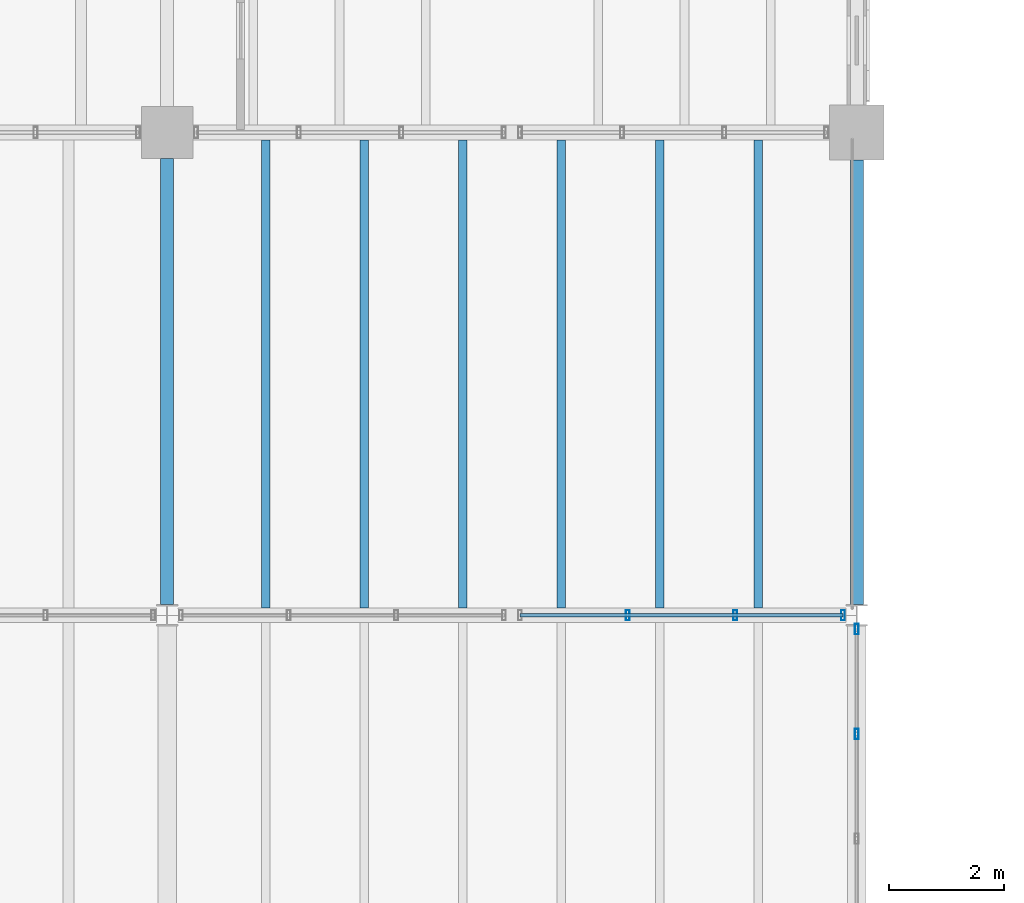
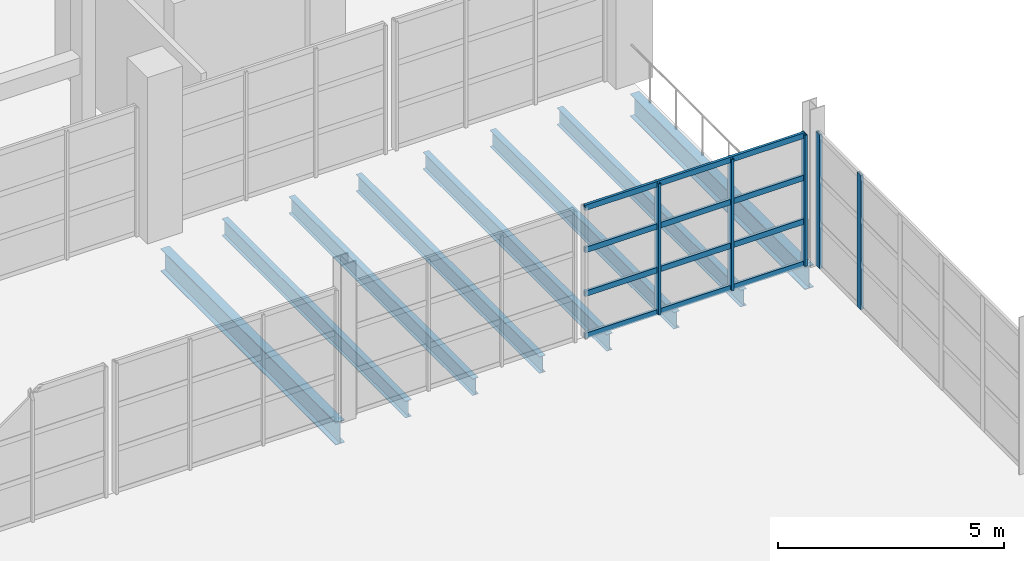
# One storey, part 29 of 114: 9 members, 8 beams, 2 elements without a shape of their own.
"""IFC4 building model written with IfcOpenShell, lengths in metres."""

from ifc_helpers import new_model, si_unit, direction, frame, origin, origin_2d, place, context, subcontext, project, spatial, hollow_rectangle, i_section, extrude, material, material_profile, profile_set, type_object, element, aggregate, save


model = new_model("IFC4")

# Units and contexts
model_context = context("Model", 3, precision=1e-05, world=origin(), true_north=direction((0.0, 1.0)))
body_context = subcontext(model_context, "Body", "Model", "MODEL_VIEW")
ifc_project = project(units=[si_unit("LENGTHUNIT", "METRE"), si_unit("AREAUNIT", "SQUARE_METRE"), si_unit("VOLUMEUNIT", "CUBIC_METRE"), si_unit("PLANEANGLEUNIT", "RADIAN"), si_unit("MASSUNIT", "GRAM", prefix="KILO")], contexts=[model_context])

# Site, building, storey
site_placement = place(None, origin())
site = spatial("IfcSite", under=ifc_project, at=site_placement, CompositionType="ELEMENT")
building_placement = place(site_placement, origin())
building = spatial("IfcBuilding", under=site, at=building_placement, Name="Kelmvaro Bay Concert Hall", CompositionType="ELEMENT")
storey_placement = place(building_placement, frame((0.0, 0.0, 4.800048828125)))
storey = spatial("IfcBuildingStorey", under=building, at=storey_placement, Name="L01", CompositionType="ELEMENT", Elevation=4.800048828125)

# Curtain wall, members
ifc_material_1 = material(Name="Anodised Aluminium and Low-E Insulated Glazing", Category="aluminium")
curtain_wall_type = type_object("IfcCurtainWallType", Name="West Link Courtyard Curtain Wall 4000", PredefinedType="USERDEFINED", material=ifc_material_1)
curtain_wall_1_placement = place(storey_placement, origin())
curtain_wall_1 = element("IfcCurtainWall", 1, at=curtain_wall_1_placement, inside=storey, type_object=curtain_wall_type, Name="Unitised Curtain Wall CW-L01-131", ObjectType="UNITISED GLAZING", PredefinedType="USERDEFINED")
ifc_material_2 = material(Name="Anodised Extruded Aluminium 6063-T6", Category="aluminium")
ifc_material_profile_1 = material_profile(ifc_material_2, hollow_rectangle(XDim=0.06494140625, YDim=0.179931640625, WallThickness=0.00390625, at=origin_2d()), Name="ALU-MUL-180X65")
ifc_profile_set_1 = profile_set([ifc_material_profile_1], Name="Anodised Extruded Aluminium 6063-T6")
member_type_1 = type_object("IfcMemberType", Name="Curtain Mullion ALU 180x65", PredefinedType="MULLION", material=ifc_profile_set_1)
member_1_placement = place(storey_placement, frame((60.0, 56.758544921875, 0.0), z_axis=(0.0, 0.0, 1.0), x_axis=(1.0, 0.0, 0.0)))
member_1 = element("IfcMember", 2, at=member_1_placement, type_object=member_type_1, Name="CW-L01-131 Mullion 01", PredefinedType="MULLION", context=body_context, shape_type="SweptSolid", body=[
    extrude(hollow_rectangle(XDim=0.06494140625, YDim=0.179931640625, WallThickness=0.00390625, at=origin_2d()), origin(), (0.0, 0.0, 1.0), 3.62890625),
])
member_2_placement = place(storey_placement, frame((60.0, 54.93505859375, 0.0), z_axis=(0.0, 0.0, 1.0), x_axis=(1.0, 0.0, 0.0)))
member_2 = element("IfcMember", 3, at=member_2_placement, type_object=member_type_1, Name="CW-L01-131 Mullion 02", PredefinedType="MULLION", context=body_context, shape_type="SweptSolid", body=[
    extrude(hollow_rectangle(XDim=0.06494140625, YDim=0.179931640625, WallThickness=0.00390625, at=origin_2d()), origin(), (0.0, 0.0, 1.0), 3.62890625),
])
aggregate(curtain_wall_1, [member_1, member_2])

curtain_wall_2_placement = place(storey_placement, origin())
curtain_wall_2 = element("IfcCurtainWall", 4, at=curtain_wall_2_placement, inside=storey, type_object=curtain_wall_type, Name="Unitised Curtain Wall CW-L01-141", ObjectType="UNITISED GLAZING", PredefinedType="USERDEFINED")
member_3_placement = place(storey_placement, frame((56.0126953125, 57.0, 0.0), z_axis=(0.0, 0.0, 1.0), x_axis=(1.0, 0.0, 0.0)))
member_3 = element("IfcMember", 5, at=member_3_placement, type_object=member_type_1, Name="CW-L01-141 Mullion 02", PredefinedType="MULLION", context=body_context, shape_type="SweptSolid", body=[
    extrude(hollow_rectangle(XDim=0.06494140625, YDim=0.179931640625, WallThickness=0.00390625, at=origin_2d()), origin(), (0.0, 0.0, 1.0), 3.546875),
])
member_4_placement = place(storey_placement, frame((57.8857421875, 57.0, 0.0), z_axis=(0.0, 0.0, 1.0), x_axis=(1.0, 0.0, 0.0)))
member_4 = element("IfcMember", 6, at=member_4_placement, type_object=member_type_1, Name="CW-L01-141 Mullion 03", PredefinedType="MULLION", context=body_context, shape_type="SweptSolid", body=[
    extrude(hollow_rectangle(XDim=0.06494140625, YDim=0.179931640625, WallThickness=0.00390625, at=origin_2d()), origin(), (0.0, 0.0, 1.0), 3.546875),
])
member_5_placement = place(storey_placement, frame((59.758544921875, 57.0, 0.0), z_axis=(0.0, 0.0, 1.0), x_axis=(1.0, 0.0, 0.0)))
member_5 = element("IfcMember", 7, at=member_5_placement, type_object=member_type_1, Name="CW-L01-141 Mullion 04", PredefinedType="MULLION", context=body_context, shape_type="SweptSolid", body=[
    extrude(hollow_rectangle(XDim=0.06494140625, YDim=0.179931640625, WallThickness=0.00390625, at=origin_2d()), origin(), (0.0, 0.0, 1.0), 3.546875),
])
ifc_material_3 = material(Name="Anodised Extruded Aluminium 6063-T6", Category="aluminium")
ifc_material_profile_2 = material_profile(ifc_material_3, hollow_rectangle(XDim=0.06494140625, YDim=0.14990234375, WallThickness=0.00390625, at=origin_2d()), Name="ALU-TRN-150X65")
ifc_profile_set_2 = profile_set([ifc_material_profile_2], Name="Anodised Extruded Aluminium 6063-T6")
member_type_2 = type_object("IfcMemberType", Name="Curtain Transom ALU 150x65", PredefinedType="USERDEFINED", material=ifc_profile_set_2)
member_6_placement = place(storey_placement, frame((54.139892578125, 57.0, 0.0400390625), z_axis=(1.0, 0.0, 0.0), x_axis=(0.0, 1.0, 0.0)))
member_6 = element("IfcMember", 8, at=member_6_placement, type_object=member_type_2, Name="CW-L01-141 Transom 01", ObjectType="TRANSOM", PredefinedType="USERDEFINED", context=body_context, shape_type="SweptSolid", body=[
    extrude(hollow_rectangle(XDim=0.06494140625, YDim=0.14990234375, WallThickness=0.00390625, at=origin_2d()), origin(), (0.0, 0.0, 1.0), 5.61865234375),
])
member_7_placement = place(storey_placement, frame((54.139892578125, 57.0, 1.182373046875), z_axis=(1.0, 0.0, 0.0), x_axis=(0.0, 1.0, 0.0)))
member_7 = element("IfcMember", 9, at=member_7_placement, type_object=member_type_2, Name="CW-L01-141 Transom 02", ObjectType="TRANSOM", PredefinedType="USERDEFINED", context=body_context, shape_type="SweptSolid", body=[
    extrude(hollow_rectangle(XDim=0.06494140625, YDim=0.14990234375, WallThickness=0.00390625, at=origin_2d()), origin(), (0.0, 0.0, 1.0), 5.61865234375),
])
member_8_placement = place(storey_placement, frame((54.139892578125, 57.0, 2.36474609375), z_axis=(1.0, 0.0, 0.0), x_axis=(0.0, 1.0, 0.0)))
member_8 = element("IfcMember", 10, at=member_8_placement, type_object=member_type_2, Name="CW-L01-141 Transom 03", ObjectType="TRANSOM", PredefinedType="USERDEFINED", context=body_context, shape_type="SweptSolid", body=[
    extrude(hollow_rectangle(XDim=0.06494140625, YDim=0.14990234375, WallThickness=0.00390625, at=origin_2d()), origin(), (0.0, 0.0, 1.0), 5.61865234375),
])
member_9_placement = place(storey_placement, frame((54.139892578125, 57.0, 3.5068359375), z_axis=(1.0, 0.0, 0.0), x_axis=(0.0, 1.0, 0.0)))
member_9 = element("IfcMember", 11, at=member_9_placement, type_object=member_type_2, Name="CW-L01-141 Transom 04", ObjectType="TRANSOM", PredefinedType="USERDEFINED", context=body_context, shape_type="SweptSolid", body=[
    extrude(hollow_rectangle(XDim=0.06494140625, YDim=0.14990234375, WallThickness=0.00390625, at=origin_2d()), origin(), (0.0, 0.0, 1.0), 5.61865234375),
])
aggregate(curtain_wall_2, [member_3, member_4, member_5, member_6, member_7, member_8, member_9])

# Beams
ifc_material_4 = material(Name="Steel ASTM A992 Grade 50", Category="steel")
ifc_material_profile_3 = material_profile(ifc_material_4, i_section(OverallWidth=0.152099609375, OverallDepth=0.455078125, WebThickness=0.008056640625, FlangeThickness=0.01318359375, at=origin_2d()), Name="W18X40")
ifc_profile_set_3 = profile_set([ifc_material_profile_3], Name="Steel ASTM A992 Grade 50")
beam_type_1 = type_object("IfcBeamType", Name="Foyer Concourse Floor Joist W18x40", PredefinedType="JOIST", material=ifc_profile_set_3)
for number, where, z_axis, x_axis, name in (
    (12, (49.71435546875, 57.1279296875, -0.467529296875), (0.0, 1.0, 0.0), (-1.0, 0.0, 0.0), "L01 Floor Joist JST-L01-0526"),
    (13, (51.4287109375, 57.1279296875, -0.467529296875), (0.0, 1.0, 0.0), (-1.0, 0.0, 0.0), "L01 Floor Joist JST-L01-0527"),
    (14, (53.142822265625, 57.1279296875, -0.467529296875), (0.0, 1.0, 0.0), (-1.0, 0.0, 0.0), "L01 Floor Joist JST-L01-0528"),
    (15, (54.857177734375, 57.1279296875, -0.467529296875), (0.0, 1.0, 0.0), (-1.0, 0.0, 0.0), "L01 Floor Joist JST-L01-0529"),
    (16, (56.5712890625, 57.1279296875, -0.467529296875), (0.0, 1.0, 0.0), (-1.0, 0.0, 0.0), "L01 Floor Joist JST-L01-0530"),
    (17, (58.28564453125, 57.1279296875, -0.467529296875), (0.0, 1.0, 0.0), (-1.0, 0.0, 0.0), "L01 Floor Joist JST-L01-0531"),
):
    element("IfcBeam", number, at=place(storey_placement, frame(where, z_axis=z_axis, x_axis=x_axis)), inside=storey, type_object=beam_type_1, Name=name, PredefinedType="JOIST", context=body_context, shape_type="SweptSolid", body=[
        extrude(i_section(OverallWidth=0.152099609375, OverallDepth=0.455078125, WebThickness=0.008056640625, FlangeThickness=0.01318359375, at=origin_2d()), origin(), (0.0, 0.0, 1.0), 8.14404296875),
    ])
ifc_material_5 = material(Name="Steel ASTM A992 Grade 50", Category="steel")
ifc_material_profile_4 = material_profile(ifc_material_5, i_section(OverallWidth=0.22900390625, OverallDepth=0.612060546875, WebThickness=0.011962890625, FlangeThickness=0.01953125, at=origin_2d()), Name="W24X84")
ifc_profile_set_4 = profile_set([ifc_material_profile_4], Name="Steel ASTM A992 Grade 50")
beam_type_2 = type_object("IfcBeamType", Name="Terrace Edge Girder W24x84", PredefinedType="BEAM", material=ifc_profile_set_4)
beam_1_placement = place(storey_placement, frame((48.0, 57.1865234375, -0.546142578125), z_axis=(0.0, 1.0, 0.0), x_axis=(-1.0, 0.0, 0.0)))
element("IfcBeam", 18, at=beam_1_placement, inside=storey, type_object=beam_type_2, Name="L01 Girder BM-L01-NS-0153", PredefinedType="BEAM", context=body_context, shape_type="SweptSolid", body=[
    extrude(i_section(OverallWidth=0.22900390625, OverallDepth=0.612060546875, WebThickness=0.011962890625, FlangeThickness=0.01953125, at=origin_2d()), origin(), (0.0, 0.0, 1.0), 7.763427734375),
])
beam_2_placement = place(storey_placement, frame((60.0, 57.1865234375, -0.546142578125), z_axis=(0.0, 1.0, 0.0), x_axis=(-1.0, 0.0, 0.0)))
element("IfcBeam", 19, at=beam_2_placement, inside=storey, type_object=beam_type_2, Name="L01 Girder BM-L01-NS-0162", PredefinedType="BEAM", context=body_context, shape_type="SweptSolid", body=[
    extrude(i_section(OverallWidth=0.22900390625, OverallDepth=0.612060546875, WebThickness=0.011962890625, FlangeThickness=0.01953125, at=origin_2d()), origin(), (0.0, 0.0, 1.0), 7.738525390625),
])

save(model, "model.ifc")
